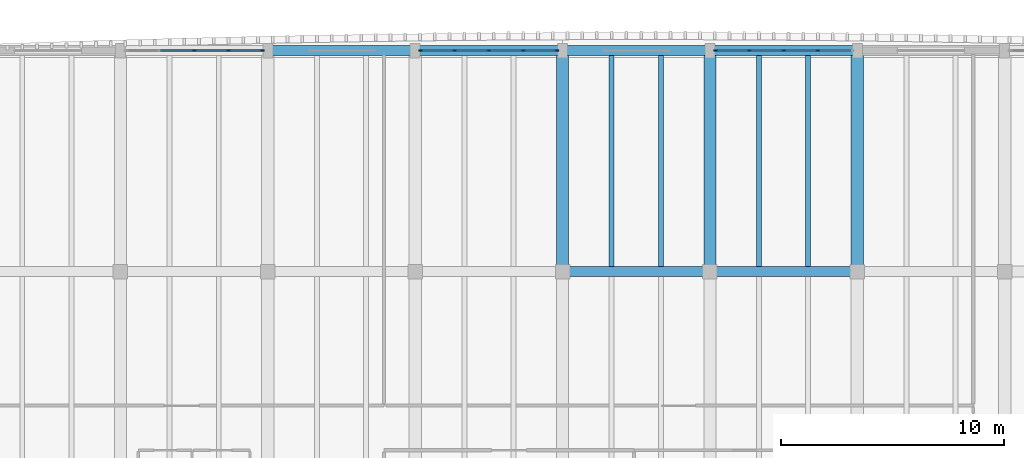
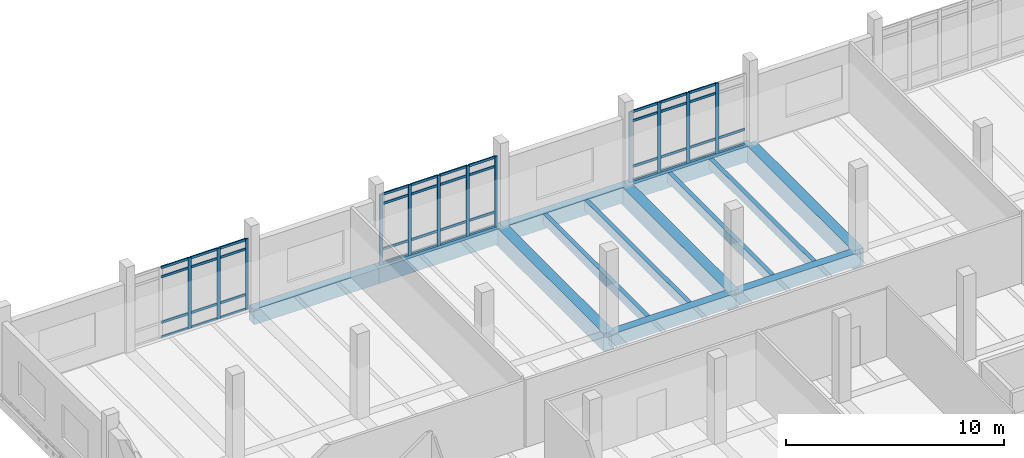
# One storey, part 16 of 50: 54 members, 13 beams, 3 elements without a shape of their own.
"""IFC4 building model written with IfcOpenShell, lengths in metres."""

from ifc_helpers import new_model, si_unit, direction, frame, origin, origin_2d, place, context, subcontext, project, spatial, rectangle, extrude, material, material_profile, profile_set, type_object, element, aggregate, save


model = new_model("IFC4")

# Units and contexts
model_context = context("Model", 3, precision=1e-05, world=origin(), true_north=direction((0.0, 1.0)))
body_context = subcontext(model_context, "Body", "Model", "MODEL_VIEW")
ifc_project = project(units=[si_unit("LENGTHUNIT", "METRE"), si_unit("AREAUNIT", "SQUARE_METRE"), si_unit("VOLUMEUNIT", "CUBIC_METRE"), si_unit("PLANEANGLEUNIT", "RADIAN"), si_unit("MASSUNIT", "GRAM", prefix="KILO")], contexts=[model_context])

# Site, building, storey
site_placement = place(None, origin())
site = spatial("IfcSite", under=ifc_project, at=site_placement, CompositionType="ELEMENT")
building_placement = place(site_placement, origin())
building = spatial("IfcBuilding", under=site, at=building_placement, Name="Dornvale Research Institute", CompositionType="ELEMENT")
storey_placement = place(building_placement, frame((0.0, 0.0, 19.800048828125)))
storey = spatial("IfcBuildingStorey", under=building, at=storey_placement, Name="L04", CompositionType="ELEMENT", Elevation=19.800048828125)

# Beams
ifc_material_1 = material(Name="Concrete f'c 45 MPa (C35/45)", Category="concrete")
ifc_material_profile_1 = material_profile(ifc_material_1, rectangle(XDim=0.449951171875, YDim=0.715087890625, at=origin_2d()), Name="RC 450x715")
ifc_profile_set_1 = profile_set([ifc_material_profile_1], Name="Concrete f'c 45 MPa (C35/45)")
beam_type_1 = type_object("IfcBeamType", Name="Beam_RC450x715_Lab", PredefinedType="BEAM", material=ifc_profile_set_1)
beam_1_placement = place(storey_placement, frame((145.199951171875, 112.199951171875, -0.357666015625), z_axis=(1.0, 0.0, 0.0), x_axis=(0.0, 1.0, 0.0)))
element("IfcBeam", 1, at=beam_1_placement, inside=storey, type_object=beam_type_1, Name="L04 primary girder #1194", PredefinedType="BEAM", context=body_context, shape_type="SweptSolid", body=[
    extrude(rectangle(XDim=0.449951171875, YDim=0.715087890625, at=origin_2d()), origin(), (0.0, 0.0, 1.0), 6.60009765625),
])
beam_2_placement = place(storey_placement, frame((151.800048828125, 112.199951171875, -0.357666015625), z_axis=(1.0, 0.0, 0.0), x_axis=(0.0, 1.0, 0.0)))
element("IfcBeam", 2, at=beam_2_placement, inside=storey, type_object=beam_type_1, Name="L04 primary girder #1195", PredefinedType="BEAM", context=body_context, shape_type="SweptSolid", body=[
    extrude(rectangle(XDim=0.449951171875, YDim=0.715087890625, at=origin_2d()), origin(), (0.0, 0.0, 1.0), 6.599853515625),
])
ifc_material_2 = material(Name="Concrete f'c 45 MPa (C35/45)", Category="concrete")
ifc_material_profile_2 = material_profile(ifc_material_2, rectangle(XDim=0.550048828125, YDim=1.0, at=origin_2d()), Name="RC 550x1000")
ifc_profile_set_2 = profile_set([ifc_material_profile_2], Name="Concrete f'c 45 MPa (C35/45)")
beam_type_2 = type_object("IfcBeamType", Name="Beam_RC550x1000_Girder", PredefinedType="BEAM", material=ifc_profile_set_2)
for number, where, z_axis, x_axis, name in (
    (3, (145.199951171875, 112.199951171875, -0.5), (0.0, 1.0, 0.0), (-1.0, 0.0, 0.0), "L04 transverse girder #1221"),
    (4, (151.800048828125, 112.199951171875, -0.5), (0.0, 1.0, 0.0), (-1.0, 0.0, 0.0), "L04 transverse girder #1224"),
    (5, (158.39990234375, 112.199951171875, -0.5), (0.0, 1.0, 0.0), (-1.0, 0.0, 0.0), "L04 transverse girder #1226"),
):
    element("IfcBeam", number, at=place(storey_placement, frame(where, z_axis=z_axis, x_axis=x_axis)), inside=storey, type_object=beam_type_2, Name=name, PredefinedType="BEAM", context=body_context, shape_type="SweptSolid", body=[
        extrude(rectangle(XDim=0.550048828125, YDim=1.0, at=origin_2d()), origin(), (0.0, 0.0, 1.0), 9.900146484375),
    ])
ifc_material_3 = material(Name="Concrete f'c 45 MPa (C35/45)", Category="concrete")
ifc_material_profile_3 = material_profile(ifc_material_3, rectangle(XDim=0.219970703125, YDim=0.534912109375, at=origin_2d()), Name="RC 220x535")
ifc_profile_set_3 = profile_set([ifc_material_profile_3], Name="Concrete f'c 45 MPa (C35/45)")
beam_type_3 = type_object("IfcBeamType", Name="Joist_RC220x535_Waffle", PredefinedType="JOIST", material=ifc_profile_set_3)
for number, where, z_axis, x_axis, name in (
    (6, (147.39990234375, 112.425048828125, -0.267578125), (0.0, 1.0, 0.0), (-1.0, 0.0, 0.0), "L04 laboratory waffle joist #608"),
    (7, (149.60009765625, 112.425048828125, -0.267578125), (0.0, 1.0, 0.0), (-1.0, 0.0, 0.0), "L04 laboratory waffle joist #609"),
    (8, (154.0, 112.425048828125, -0.267578125), (0.0, 1.0, 0.0), (-1.0, 0.0, 0.0), "L04 laboratory waffle joist #612"),
    (9, (156.199951171875, 112.425048828125, -0.267578125), (0.0, 1.0, 0.0), (-1.0, 0.0, 0.0), "L04 laboratory waffle joist #613"),
):
    element("IfcBeam", number, at=place(storey_placement, frame(where, z_axis=z_axis, x_axis=x_axis)), inside=storey, type_object=beam_type_3, Name=name, PredefinedType="JOIST", context=body_context, shape_type="SweptSolid", body=[
        extrude(rectangle(XDim=0.219970703125, YDim=0.534912109375, at=origin_2d()), origin(), (0.0, 0.0, 1.0), 9.449951171875),
    ])

# Curtain wall, members
ifc_material_4 = material(Name="Low-E Argon Double Insulating Glazing Unit", Category="glass")
curtain_wall_type = type_object("IfcCurtainWallType", Name="UnitisedCurtainWall_V4_6150x3950", PredefinedType="USERDEFINED", material=ifc_material_4)
curtain_wall_1_placement = place(storey_placement, origin())
curtain_wall_1 = element("IfcCurtainWall", 10, at=curtain_wall_1_placement, inside=storey, type_object=curtain_wall_type, Name="L04 V4 unitised curtain wall CW-15 #100", ObjectType="UNITISED CURTAIN WALL", PredefinedType="USERDEFINED")
ifc_material_5 = material(Name="Anodized Aluminum AA 6063-T6 Thermally Broken Frame", Category="aluminium")
ifc_material_profile_4 = material_profile(ifc_material_5, rectangle(XDim=0.06494140625, YDim=0.179931640625, at=origin_2d()), Name="ALU MULLION 65x180")
ifc_profile_set_4 = profile_set([ifc_material_profile_4], Name="Anodized Aluminum AA 6063-T6 Thermally Broken Frame")
member_type_1 = type_object("IfcMemberType", Name="Mullion_CW_65x180", PredefinedType="MULLION", material=ifc_profile_set_4)
member_1_placement = place(storey_placement, frame((128.699951171875, 122.10009765625, 0.0), z_axis=(0.0, 0.0, 1.0), x_axis=(0.0, 1.0, 0.0)))
member_1 = element("IfcMember", 11, at=member_1_placement, type_object=member_type_1, Name="CW-15 mullion 3", PredefinedType="MULLION", context=body_context, shape_type="SweptSolid", body=[
    extrude(rectangle(XDim=0.06494140625, YDim=0.179931640625, at=origin_2d()), origin(), (0.0, 0.0, 1.0), 3.949951171875),
])
member_2_placement = place(storey_placement, frame((130.237548828125, 122.10009765625, 0.0), z_axis=(0.0, 0.0, 1.0), x_axis=(0.0, 1.0, 0.0)))
member_2 = element("IfcMember", 12, at=member_2_placement, type_object=member_type_1, Name="CW-15 mullion 4", PredefinedType="MULLION", context=body_context, shape_type="SweptSolid", body=[
    extrude(rectangle(XDim=0.06494140625, YDim=0.179931640625, at=origin_2d()), origin(), (0.0, 0.0, 1.0), 3.949951171875),
])
member_3_placement = place(storey_placement, frame((131.742431640625, 122.10009765625, 0.0), z_axis=(0.0, 0.0, 1.0), x_axis=(0.0, 1.0, 0.0)))
member_3 = element("IfcMember", 13, at=member_3_placement, type_object=member_type_1, Name="CW-15 mullion 5", PredefinedType="MULLION", context=body_context, shape_type="SweptSolid", body=[
    extrude(rectangle(XDim=0.06494140625, YDim=0.179931640625, at=origin_2d()), origin(), (0.0, 0.0, 1.0), 3.949951171875),
])

curtain_wall_2_placement = place(storey_placement, origin())
curtain_wall_2 = element("IfcCurtainWall", 14, at=curtain_wall_2_placement, inside=storey, type_object=curtain_wall_type, Name="L04 V4 unitised curtain wall CW-15 #101", ObjectType="UNITISED CURTAIN WALL", PredefinedType="USERDEFINED")
member_4_placement = place(storey_placement, frame((138.857421875, 122.10009765625, 0.0), z_axis=(0.0, 0.0, 1.0), x_axis=(0.0, 1.0, 0.0)))
member_4 = element("IfcMember", 15, at=member_4_placement, type_object=member_type_1, Name="CW-15 mullion 1", PredefinedType="MULLION", context=body_context, shape_type="SweptSolid", body=[
    extrude(rectangle(XDim=0.06494140625, YDim=0.179931640625, at=origin_2d()), origin(), (0.0, 0.0, 1.0), 3.949951171875),
])
member_5_placement = place(storey_placement, frame((140.362548828125, 122.10009765625, 0.0), z_axis=(0.0, 0.0, 1.0), x_axis=(0.0, 1.0, 0.0)))
member_5 = element("IfcMember", 16, at=member_5_placement, type_object=member_type_1, Name="CW-15 mullion 2", PredefinedType="MULLION", context=body_context, shape_type="SweptSolid", body=[
    extrude(rectangle(XDim=0.06494140625, YDim=0.179931640625, at=origin_2d()), origin(), (0.0, 0.0, 1.0), 3.949951171875),
])
member_6_placement = place(storey_placement, frame((141.89990234375, 122.10009765625, 0.0), z_axis=(0.0, 0.0, 1.0), x_axis=(0.0, 1.0, 0.0)))
member_6 = element("IfcMember", 17, at=member_6_placement, type_object=member_type_1, Name="CW-15 mullion 3", PredefinedType="MULLION", context=body_context, shape_type="SweptSolid", body=[
    extrude(rectangle(XDim=0.06494140625, YDim=0.179931640625, at=origin_2d()), origin(), (0.0, 0.0, 1.0), 3.949951171875),
])
member_7_placement = place(storey_placement, frame((143.4375, 122.10009765625, 0.0), z_axis=(0.0, 0.0, 1.0), x_axis=(0.0, 1.0, 0.0)))
member_7 = element("IfcMember", 18, at=member_7_placement, type_object=member_type_1, Name="CW-15 mullion 4", PredefinedType="MULLION", context=body_context, shape_type="SweptSolid", body=[
    extrude(rectangle(XDim=0.06494140625, YDim=0.179931640625, at=origin_2d()), origin(), (0.0, 0.0, 1.0), 3.949951171875),
])
member_8_placement = place(storey_placement, frame((144.9423828125, 122.10009765625, 0.0), z_axis=(0.0, 0.0, 1.0), x_axis=(0.0, 1.0, 0.0)))
member_8 = element("IfcMember", 19, at=member_8_placement, type_object=member_type_1, Name="CW-15 mullion 5", PredefinedType="MULLION", context=body_context, shape_type="SweptSolid", body=[
    extrude(rectangle(XDim=0.06494140625, YDim=0.179931640625, at=origin_2d()), origin(), (0.0, 0.0, 1.0), 3.949951171875),
])

curtain_wall_3_placement = place(storey_placement, origin())
curtain_wall_3 = element("IfcCurtainWall", 20, at=curtain_wall_3_placement, inside=storey, type_object=curtain_wall_type, Name="L04 V4 unitised curtain wall CW-15 #102", ObjectType="UNITISED CURTAIN WALL", PredefinedType="USERDEFINED")
member_9_placement = place(storey_placement, frame((152.0576171875, 122.10009765625, 0.0), z_axis=(0.0, 0.0, 1.0), x_axis=(0.0, 1.0, 0.0)))
member_9 = element("IfcMember", 21, at=member_9_placement, type_object=member_type_1, Name="CW-15 mullion 1", PredefinedType="MULLION", context=body_context, shape_type="SweptSolid", body=[
    extrude(rectangle(XDim=0.06494140625, YDim=0.179931640625, at=origin_2d()), origin(), (0.0, 0.0, 1.0), 3.949951171875),
])
member_10_placement = place(storey_placement, frame((153.5625, 122.10009765625, 0.0), z_axis=(0.0, 0.0, 1.0), x_axis=(0.0, 1.0, 0.0)))
member_10 = element("IfcMember", 22, at=member_10_placement, type_object=member_type_1, Name="CW-15 mullion 2", PredefinedType="MULLION", context=body_context, shape_type="SweptSolid", body=[
    extrude(rectangle(XDim=0.06494140625, YDim=0.179931640625, at=origin_2d()), origin(), (0.0, 0.0, 1.0), 3.949951171875),
])
member_11_placement = place(storey_placement, frame((155.10009765625, 122.10009765625, 0.0), z_axis=(0.0, 0.0, 1.0), x_axis=(0.0, 1.0, 0.0)))
member_11 = element("IfcMember", 23, at=member_11_placement, type_object=member_type_1, Name="CW-15 mullion 3", PredefinedType="MULLION", context=body_context, shape_type="SweptSolid", body=[
    extrude(rectangle(XDim=0.06494140625, YDim=0.179931640625, at=origin_2d()), origin(), (0.0, 0.0, 1.0), 3.949951171875),
])
member_12_placement = place(storey_placement, frame((156.637451171875, 122.10009765625, 0.0), z_axis=(0.0, 0.0, 1.0), x_axis=(0.0, 1.0, 0.0)))
member_12 = element("IfcMember", 24, at=member_12_placement, type_object=member_type_1, Name="CW-15 mullion 4", PredefinedType="MULLION", context=body_context, shape_type="SweptSolid", body=[
    extrude(rectangle(XDim=0.06494140625, YDim=0.179931640625, at=origin_2d()), origin(), (0.0, 0.0, 1.0), 3.949951171875),
])

# Beams
ifc_material_6 = material(Name="Concrete f'c 45 MPa (C35/45)", Category="concrete")
ifc_material_profile_5 = material_profile(ifc_material_6, rectangle(XDim=0.449951171875, YDim=0.85009765625, at=origin_2d()), Name="RC 450x850")
ifc_profile_set_5 = profile_set([ifc_material_profile_5], Name="Concrete f'c 45 MPa (C35/45)")
beam_type_4 = type_object("IfcBeamType", Name="Spandrel_RC450x850_Ext", PredefinedType="SPANDREL", material=ifc_profile_set_5)
beam_3_placement = place(storey_placement, frame((132.0, 122.10009765625, -0.425048828125), z_axis=(1.0, 0.0, 0.0), x_axis=(0.0, 1.0, 0.0)))
element("IfcBeam", 25, at=beam_3_placement, inside=storey, type_object=beam_type_4, Name="L04 perimeter spandrel #1201", PredefinedType="SPANDREL", context=body_context, shape_type="SweptSolid", body=[
    extrude(rectangle(XDim=0.449951171875, YDim=0.85009765625, at=origin_2d()), origin(), (0.0, 0.0, 1.0), 6.60009765625),
])
beam_4_placement = place(storey_placement, frame((138.60009765625, 122.10009765625, -0.425048828125), z_axis=(1.0, 0.0, 0.0), x_axis=(0.0, 1.0, 0.0)))
element("IfcBeam", 26, at=beam_4_placement, inside=storey, type_object=beam_type_4, Name="L04 perimeter spandrel #1202", PredefinedType="SPANDREL", context=body_context, shape_type="SweptSolid", body=[
    extrude(rectangle(XDim=0.449951171875, YDim=0.85009765625, at=origin_2d()), origin(), (0.0, 0.0, 1.0), 6.599853515625),
])
beam_5_placement = place(storey_placement, frame((145.199951171875, 122.10009765625, -0.425048828125), z_axis=(1.0, 0.0, 0.0), x_axis=(0.0, 1.0, 0.0)))
element("IfcBeam", 27, at=beam_5_placement, inside=storey, type_object=beam_type_4, Name="L04 perimeter spandrel #1203", PredefinedType="SPANDREL", context=body_context, shape_type="SweptSolid", body=[
    extrude(rectangle(XDim=0.449951171875, YDim=0.85009765625, at=origin_2d()), origin(), (0.0, 0.0, 1.0), 6.60009765625),
])
beam_6_placement = place(storey_placement, frame((151.800048828125, 122.10009765625, -0.425048828125), z_axis=(1.0, 0.0, 0.0), x_axis=(0.0, 1.0, 0.0)))
element("IfcBeam", 28, at=beam_6_placement, inside=storey, type_object=beam_type_4, Name="L04 perimeter spandrel #1204", PredefinedType="SPANDREL", context=body_context, shape_type="SweptSolid", body=[
    extrude(rectangle(XDim=0.449951171875, YDim=0.85009765625, at=origin_2d()), origin(), (0.0, 0.0, 1.0), 6.599853515625),
])

# Member
ifc_material_7 = material(Name="Anodized Aluminum AA 6063-T6 Thermally Broken Frame", Category="aluminium")
ifc_material_profile_6 = material_profile(ifc_material_7, rectangle(XDim=0.06494140625, YDim=0.135009765625, at=origin_2d()), Name="ALU TRANSOM 65x135")
ifc_profile_set_6 = profile_set([ifc_material_profile_6], Name="Anodized Aluminum AA 6063-T6 Thermally Broken Frame")
member_type_2 = type_object("IfcMemberType", Name="Transom_CW_65x135", PredefinedType="USERDEFINED", material=ifc_profile_set_6)
member_13_placement = place(storey_placement, frame((127.195068359375, 122.10009765625, 0.032470703125), z_axis=(1.0, 0.0, 0.0), x_axis=(0.0, 1.0, 0.0)))
member_13 = element("IfcMember", 29, at=member_13_placement, type_object=member_type_2, Name="CW-15 transom 2.1", ObjectType="TRANSOM", PredefinedType="USERDEFINED", context=body_context, shape_type="SweptSolid", body=[
    extrude(rectangle(XDim=0.06494140625, YDim=0.135009765625, at=origin_2d()), origin(), (0.0, 0.0, 1.0), 1.472412109375),
])

member_14_placement = place(storey_placement, frame((127.195068359375, 122.10009765625, 0.849853515625), z_axis=(1.0, 0.0, 0.0), x_axis=(0.0, 1.0, 0.0)))
member_14 = element("IfcMember", 30, at=member_14_placement, type_object=member_type_2, Name="CW-15 transom 2.2", ObjectType="TRANSOM", PredefinedType="USERDEFINED", context=body_context, shape_type="SweptSolid", body=[
    extrude(rectangle(XDim=0.06494140625, YDim=0.135009765625, at=origin_2d()), origin(), (0.0, 0.0, 1.0), 1.472412109375),
])

member_15_placement = place(storey_placement, frame((127.195068359375, 122.10009765625, 3.39990234375), z_axis=(1.0, 0.0, 0.0), x_axis=(0.0, 1.0, 0.0)))
member_15 = element("IfcMember", 31, at=member_15_placement, type_object=member_type_2, Name="CW-15 transom 2.3", ObjectType="TRANSOM", PredefinedType="USERDEFINED", context=body_context, shape_type="SweptSolid", body=[
    extrude(rectangle(XDim=0.06494140625, YDim=0.135009765625, at=origin_2d()), origin(), (0.0, 0.0, 1.0), 1.472412109375),
])

member_16_placement = place(storey_placement, frame((127.195068359375, 122.10009765625, 3.91748046875), z_axis=(1.0, 0.0, 0.0), x_axis=(0.0, 1.0, 0.0)))
member_16 = element("IfcMember", 32, at=member_16_placement, type_object=member_type_2, Name="CW-15 transom 2.4", ObjectType="TRANSOM", PredefinedType="USERDEFINED", context=body_context, shape_type="SweptSolid", body=[
    extrude(rectangle(XDim=0.06494140625, YDim=0.135009765625, at=origin_2d()), origin(), (0.0, 0.0, 1.0), 1.472412109375),
])

member_17_placement = place(storey_placement, frame((128.732421875, 122.10009765625, 0.032470703125), z_axis=(1.0, 0.0, 0.0), x_axis=(0.0, 1.0, 0.0)))
member_17 = element("IfcMember", 33, at=member_17_placement, type_object=member_type_2, Name="CW-15 transom 3.1", ObjectType="TRANSOM", PredefinedType="USERDEFINED", context=body_context, shape_type="SweptSolid", body=[
    extrude(rectangle(XDim=0.06494140625, YDim=0.135009765625, at=origin_2d()), origin(), (0.0, 0.0, 1.0), 1.47265625),
])

member_18_placement = place(storey_placement, frame((128.732421875, 122.10009765625, 0.849853515625), z_axis=(1.0, 0.0, 0.0), x_axis=(0.0, 1.0, 0.0)))
member_18 = element("IfcMember", 34, at=member_18_placement, type_object=member_type_2, Name="CW-15 transom 3.2", ObjectType="TRANSOM", PredefinedType="USERDEFINED", context=body_context, shape_type="SweptSolid", body=[
    extrude(rectangle(XDim=0.06494140625, YDim=0.135009765625, at=origin_2d()), origin(), (0.0, 0.0, 1.0), 1.47265625),
])

member_19_placement = place(storey_placement, frame((128.732421875, 122.10009765625, 3.39990234375), z_axis=(1.0, 0.0, 0.0), x_axis=(0.0, 1.0, 0.0)))
member_19 = element("IfcMember", 35, at=member_19_placement, type_object=member_type_2, Name="CW-15 transom 3.3", ObjectType="TRANSOM", PredefinedType="USERDEFINED", context=body_context, shape_type="SweptSolid", body=[
    extrude(rectangle(XDim=0.06494140625, YDim=0.135009765625, at=origin_2d()), origin(), (0.0, 0.0, 1.0), 1.47265625),
])

member_20_placement = place(storey_placement, frame((128.732421875, 122.10009765625, 3.91748046875), z_axis=(1.0, 0.0, 0.0), x_axis=(0.0, 1.0, 0.0)))
member_20 = element("IfcMember", 36, at=member_20_placement, type_object=member_type_2, Name="CW-15 transom 3.4", ObjectType="TRANSOM", PredefinedType="USERDEFINED", context=body_context, shape_type="SweptSolid", body=[
    extrude(rectangle(XDim=0.06494140625, YDim=0.135009765625, at=origin_2d()), origin(), (0.0, 0.0, 1.0), 1.47265625),
])

member_21_placement = place(storey_placement, frame((130.27001953125, 122.10009765625, 0.032470703125), z_axis=(1.0, 0.0, 0.0), x_axis=(0.0, 1.0, 0.0)))
member_21 = element("IfcMember", 37, at=member_21_placement, type_object=member_type_2, Name="CW-15 transom 4.1", ObjectType="TRANSOM", PredefinedType="USERDEFINED", context=body_context, shape_type="SweptSolid", body=[
    extrude(rectangle(XDim=0.06494140625, YDim=0.135009765625, at=origin_2d()), origin(), (0.0, 0.0, 1.0), 1.43994140625),
])

member_22_placement = place(storey_placement, frame((130.27001953125, 122.10009765625, 0.849853515625), z_axis=(1.0, 0.0, 0.0), x_axis=(0.0, 1.0, 0.0)))
member_22 = element("IfcMember", 38, at=member_22_placement, type_object=member_type_2, Name="CW-15 transom 4.2", ObjectType="TRANSOM", PredefinedType="USERDEFINED", context=body_context, shape_type="SweptSolid", body=[
    extrude(rectangle(XDim=0.06494140625, YDim=0.135009765625, at=origin_2d()), origin(), (0.0, 0.0, 1.0), 1.43994140625),
])

member_23_placement = place(storey_placement, frame((130.27001953125, 122.10009765625, 3.39990234375), z_axis=(1.0, 0.0, 0.0), x_axis=(0.0, 1.0, 0.0)))
member_23 = element("IfcMember", 39, at=member_23_placement, type_object=member_type_2, Name="CW-15 transom 4.3", ObjectType="TRANSOM", PredefinedType="USERDEFINED", context=body_context, shape_type="SweptSolid", body=[
    extrude(rectangle(XDim=0.06494140625, YDim=0.135009765625, at=origin_2d()), origin(), (0.0, 0.0, 1.0), 1.43994140625),
])

member_24_placement = place(storey_placement, frame((130.27001953125, 122.10009765625, 3.91748046875), z_axis=(1.0, 0.0, 0.0), x_axis=(0.0, 1.0, 0.0)))
member_24 = element("IfcMember", 40, at=member_24_placement, type_object=member_type_2, Name="CW-15 transom 4.4", ObjectType="TRANSOM", PredefinedType="USERDEFINED", context=body_context, shape_type="SweptSolid", body=[
    extrude(rectangle(XDim=0.06494140625, YDim=0.135009765625, at=origin_2d()), origin(), (0.0, 0.0, 1.0), 1.43994140625),
])

aggregate(curtain_wall_1, [member_1, member_2, member_3, member_13, member_14, member_15, member_16, member_17, member_18, member_19, member_20, member_21, member_22, member_23, member_24])

member_25_placement = place(storey_placement, frame((138.889892578125, 122.10009765625, 0.032470703125), z_axis=(1.0, 0.0, 0.0), x_axis=(0.0, 1.0, 0.0)))
member_25 = element("IfcMember", 41, at=member_25_placement, type_object=member_type_2, Name="CW-15 transom 1.1", ObjectType="TRANSOM", PredefinedType="USERDEFINED", context=body_context, shape_type="SweptSolid", body=[
    extrude(rectangle(XDim=0.06494140625, YDim=0.135009765625, at=origin_2d()), origin(), (0.0, 0.0, 1.0), 1.440185546875),
])

member_26_placement = place(storey_placement, frame((138.889892578125, 122.10009765625, 0.849853515625), z_axis=(1.0, 0.0, 0.0), x_axis=(0.0, 1.0, 0.0)))
member_26 = element("IfcMember", 42, at=member_26_placement, type_object=member_type_2, Name="CW-15 transom 1.2", ObjectType="TRANSOM", PredefinedType="USERDEFINED", context=body_context, shape_type="SweptSolid", body=[
    extrude(rectangle(XDim=0.06494140625, YDim=0.135009765625, at=origin_2d()), origin(), (0.0, 0.0, 1.0), 1.440185546875),
])

member_27_placement = place(storey_placement, frame((138.889892578125, 122.10009765625, 3.39990234375), z_axis=(1.0, 0.0, 0.0), x_axis=(0.0, 1.0, 0.0)))
member_27 = element("IfcMember", 43, at=member_27_placement, type_object=member_type_2, Name="CW-15 transom 1.3", ObjectType="TRANSOM", PredefinedType="USERDEFINED", context=body_context, shape_type="SweptSolid", body=[
    extrude(rectangle(XDim=0.06494140625, YDim=0.135009765625, at=origin_2d()), origin(), (0.0, 0.0, 1.0), 1.440185546875),
])

member_28_placement = place(storey_placement, frame((138.889892578125, 122.10009765625, 3.91748046875), z_axis=(1.0, 0.0, 0.0), x_axis=(0.0, 1.0, 0.0)))
member_28 = element("IfcMember", 44, at=member_28_placement, type_object=member_type_2, Name="CW-15 transom 1.4", ObjectType="TRANSOM", PredefinedType="USERDEFINED", context=body_context, shape_type="SweptSolid", body=[
    extrude(rectangle(XDim=0.06494140625, YDim=0.135009765625, at=origin_2d()), origin(), (0.0, 0.0, 1.0), 1.440185546875),
])

member_29_placement = place(storey_placement, frame((140.39501953125, 122.10009765625, 0.032470703125), z_axis=(1.0, 0.0, 0.0), x_axis=(0.0, 1.0, 0.0)))
member_29 = element("IfcMember", 45, at=member_29_placement, type_object=member_type_2, Name="CW-15 transom 2.1", ObjectType="TRANSOM", PredefinedType="USERDEFINED", context=body_context, shape_type="SweptSolid", body=[
    extrude(rectangle(XDim=0.06494140625, YDim=0.135009765625, at=origin_2d()), origin(), (0.0, 0.0, 1.0), 1.472412109375),
])

member_30_placement = place(storey_placement, frame((140.39501953125, 122.10009765625, 0.849853515625), z_axis=(1.0, 0.0, 0.0), x_axis=(0.0, 1.0, 0.0)))
member_30 = element("IfcMember", 46, at=member_30_placement, type_object=member_type_2, Name="CW-15 transom 2.2", ObjectType="TRANSOM", PredefinedType="USERDEFINED", context=body_context, shape_type="SweptSolid", body=[
    extrude(rectangle(XDim=0.06494140625, YDim=0.135009765625, at=origin_2d()), origin(), (0.0, 0.0, 1.0), 1.472412109375),
])

member_31_placement = place(storey_placement, frame((140.39501953125, 122.10009765625, 3.39990234375), z_axis=(1.0, 0.0, 0.0), x_axis=(0.0, 1.0, 0.0)))
member_31 = element("IfcMember", 47, at=member_31_placement, type_object=member_type_2, Name="CW-15 transom 2.3", ObjectType="TRANSOM", PredefinedType="USERDEFINED", context=body_context, shape_type="SweptSolid", body=[
    extrude(rectangle(XDim=0.06494140625, YDim=0.135009765625, at=origin_2d()), origin(), (0.0, 0.0, 1.0), 1.472412109375),
])

member_32_placement = place(storey_placement, frame((140.39501953125, 122.10009765625, 3.91748046875), z_axis=(1.0, 0.0, 0.0), x_axis=(0.0, 1.0, 0.0)))
member_32 = element("IfcMember", 48, at=member_32_placement, type_object=member_type_2, Name="CW-15 transom 2.4", ObjectType="TRANSOM", PredefinedType="USERDEFINED", context=body_context, shape_type="SweptSolid", body=[
    extrude(rectangle(XDim=0.06494140625, YDim=0.135009765625, at=origin_2d()), origin(), (0.0, 0.0, 1.0), 1.472412109375),
])

member_33_placement = place(storey_placement, frame((141.9326171875, 122.10009765625, 0.032470703125), z_axis=(1.0, 0.0, 0.0), x_axis=(0.0, 1.0, 0.0)))
member_33 = element("IfcMember", 49, at=member_33_placement, type_object=member_type_2, Name="CW-15 transom 3.1", ObjectType="TRANSOM", PredefinedType="USERDEFINED", context=body_context, shape_type="SweptSolid", body=[
    extrude(rectangle(XDim=0.06494140625, YDim=0.135009765625, at=origin_2d()), origin(), (0.0, 0.0, 1.0), 1.472412109375),
])

member_34_placement = place(storey_placement, frame((141.9326171875, 122.10009765625, 0.849853515625), z_axis=(1.0, 0.0, 0.0), x_axis=(0.0, 1.0, 0.0)))
member_34 = element("IfcMember", 50, at=member_34_placement, type_object=member_type_2, Name="CW-15 transom 3.2", ObjectType="TRANSOM", PredefinedType="USERDEFINED", context=body_context, shape_type="SweptSolid", body=[
    extrude(rectangle(XDim=0.06494140625, YDim=0.135009765625, at=origin_2d()), origin(), (0.0, 0.0, 1.0), 1.472412109375),
])

member_35_placement = place(storey_placement, frame((141.9326171875, 122.10009765625, 3.39990234375), z_axis=(1.0, 0.0, 0.0), x_axis=(0.0, 1.0, 0.0)))
member_35 = element("IfcMember", 51, at=member_35_placement, type_object=member_type_2, Name="CW-15 transom 3.3", ObjectType="TRANSOM", PredefinedType="USERDEFINED", context=body_context, shape_type="SweptSolid", body=[
    extrude(rectangle(XDim=0.06494140625, YDim=0.135009765625, at=origin_2d()), origin(), (0.0, 0.0, 1.0), 1.472412109375),
])

member_36_placement = place(storey_placement, frame((141.9326171875, 122.10009765625, 3.91748046875), z_axis=(1.0, 0.0, 0.0), x_axis=(0.0, 1.0, 0.0)))
member_36 = element("IfcMember", 52, at=member_36_placement, type_object=member_type_2, Name="CW-15 transom 3.4", ObjectType="TRANSOM", PredefinedType="USERDEFINED", context=body_context, shape_type="SweptSolid", body=[
    extrude(rectangle(XDim=0.06494140625, YDim=0.135009765625, at=origin_2d()), origin(), (0.0, 0.0, 1.0), 1.472412109375),
])

member_37_placement = place(storey_placement, frame((143.469970703125, 122.10009765625, 0.032470703125), z_axis=(1.0, 0.0, 0.0), x_axis=(0.0, 1.0, 0.0)))
member_37 = element("IfcMember", 53, at=member_37_placement, type_object=member_type_2, Name="CW-15 transom 4.1", ObjectType="TRANSOM", PredefinedType="USERDEFINED", context=body_context, shape_type="SweptSolid", body=[
    extrude(rectangle(XDim=0.06494140625, YDim=0.135009765625, at=origin_2d()), origin(), (0.0, 0.0, 1.0), 1.43994140625),
])

member_38_placement = place(storey_placement, frame((143.469970703125, 122.10009765625, 0.849853515625), z_axis=(1.0, 0.0, 0.0), x_axis=(0.0, 1.0, 0.0)))
member_38 = element("IfcMember", 54, at=member_38_placement, type_object=member_type_2, Name="CW-15 transom 4.2", ObjectType="TRANSOM", PredefinedType="USERDEFINED", context=body_context, shape_type="SweptSolid", body=[
    extrude(rectangle(XDim=0.06494140625, YDim=0.135009765625, at=origin_2d()), origin(), (0.0, 0.0, 1.0), 1.43994140625),
])

member_39_placement = place(storey_placement, frame((143.469970703125, 122.10009765625, 3.39990234375), z_axis=(1.0, 0.0, 0.0), x_axis=(0.0, 1.0, 0.0)))
member_39 = element("IfcMember", 55, at=member_39_placement, type_object=member_type_2, Name="CW-15 transom 4.3", ObjectType="TRANSOM", PredefinedType="USERDEFINED", context=body_context, shape_type="SweptSolid", body=[
    extrude(rectangle(XDim=0.06494140625, YDim=0.135009765625, at=origin_2d()), origin(), (0.0, 0.0, 1.0), 1.43994140625),
])

member_40_placement = place(storey_placement, frame((143.469970703125, 122.10009765625, 3.91748046875), z_axis=(1.0, 0.0, 0.0), x_axis=(0.0, 1.0, 0.0)))
member_40 = element("IfcMember", 56, at=member_40_placement, type_object=member_type_2, Name="CW-15 transom 4.4", ObjectType="TRANSOM", PredefinedType="USERDEFINED", context=body_context, shape_type="SweptSolid", body=[
    extrude(rectangle(XDim=0.06494140625, YDim=0.135009765625, at=origin_2d()), origin(), (0.0, 0.0, 1.0), 1.43994140625),
])

aggregate(curtain_wall_2, [member_4, member_5, member_6, member_7, member_8, member_25, member_26, member_27, member_28, member_29, member_30, member_31, member_32, member_33, member_34, member_35, member_36, member_37, member_38, member_39, member_40])

member_41_placement = place(storey_placement, frame((152.090087890625, 122.10009765625, 0.032470703125), z_axis=(1.0, 0.0, 0.0), x_axis=(0.0, 1.0, 0.0)))
member_41 = element("IfcMember", 57, at=member_41_placement, type_object=member_type_2, Name="CW-15 transom 1.1", ObjectType="TRANSOM", PredefinedType="USERDEFINED", context=body_context, shape_type="SweptSolid", body=[
    extrude(rectangle(XDim=0.06494140625, YDim=0.135009765625, at=origin_2d()), origin(), (0.0, 0.0, 1.0), 1.43994140625),
])

member_42_placement = place(storey_placement, frame((152.090087890625, 122.10009765625, 0.849853515625), z_axis=(1.0, 0.0, 0.0), x_axis=(0.0, 1.0, 0.0)))
member_42 = element("IfcMember", 58, at=member_42_placement, type_object=member_type_2, Name="CW-15 transom 1.2", ObjectType="TRANSOM", PredefinedType="USERDEFINED", context=body_context, shape_type="SweptSolid", body=[
    extrude(rectangle(XDim=0.06494140625, YDim=0.135009765625, at=origin_2d()), origin(), (0.0, 0.0, 1.0), 1.43994140625),
])

member_43_placement = place(storey_placement, frame((152.090087890625, 122.10009765625, 3.39990234375), z_axis=(1.0, 0.0, 0.0), x_axis=(0.0, 1.0, 0.0)))
member_43 = element("IfcMember", 59, at=member_43_placement, type_object=member_type_2, Name="CW-15 transom 1.3", ObjectType="TRANSOM", PredefinedType="USERDEFINED", context=body_context, shape_type="SweptSolid", body=[
    extrude(rectangle(XDim=0.06494140625, YDim=0.135009765625, at=origin_2d()), origin(), (0.0, 0.0, 1.0), 1.43994140625),
])

member_44_placement = place(storey_placement, frame((152.090087890625, 122.10009765625, 3.91748046875), z_axis=(1.0, 0.0, 0.0), x_axis=(0.0, 1.0, 0.0)))
member_44 = element("IfcMember", 60, at=member_44_placement, type_object=member_type_2, Name="CW-15 transom 1.4", ObjectType="TRANSOM", PredefinedType="USERDEFINED", context=body_context, shape_type="SweptSolid", body=[
    extrude(rectangle(XDim=0.06494140625, YDim=0.135009765625, at=origin_2d()), origin(), (0.0, 0.0, 1.0), 1.43994140625),
])

member_45_placement = place(storey_placement, frame((153.594970703125, 122.10009765625, 0.032470703125), z_axis=(1.0, 0.0, 0.0), x_axis=(0.0, 1.0, 0.0)))
member_45 = element("IfcMember", 61, at=member_45_placement, type_object=member_type_2, Name="CW-15 transom 2.1", ObjectType="TRANSOM", PredefinedType="USERDEFINED", context=body_context, shape_type="SweptSolid", body=[
    extrude(rectangle(XDim=0.06494140625, YDim=0.135009765625, at=origin_2d()), origin(), (0.0, 0.0, 1.0), 1.472412109375),
])

member_46_placement = place(storey_placement, frame((153.594970703125, 122.10009765625, 0.849853515625), z_axis=(1.0, 0.0, 0.0), x_axis=(0.0, 1.0, 0.0)))
member_46 = element("IfcMember", 62, at=member_46_placement, type_object=member_type_2, Name="CW-15 transom 2.2", ObjectType="TRANSOM", PredefinedType="USERDEFINED", context=body_context, shape_type="SweptSolid", body=[
    extrude(rectangle(XDim=0.06494140625, YDim=0.135009765625, at=origin_2d()), origin(), (0.0, 0.0, 1.0), 1.472412109375),
])

member_47_placement = place(storey_placement, frame((153.594970703125, 122.10009765625, 3.39990234375), z_axis=(1.0, 0.0, 0.0), x_axis=(0.0, 1.0, 0.0)))
member_47 = element("IfcMember", 63, at=member_47_placement, type_object=member_type_2, Name="CW-15 transom 2.3", ObjectType="TRANSOM", PredefinedType="USERDEFINED", context=body_context, shape_type="SweptSolid", body=[
    extrude(rectangle(XDim=0.06494140625, YDim=0.135009765625, at=origin_2d()), origin(), (0.0, 0.0, 1.0), 1.472412109375),
])

member_48_placement = place(storey_placement, frame((153.594970703125, 122.10009765625, 3.91748046875), z_axis=(1.0, 0.0, 0.0), x_axis=(0.0, 1.0, 0.0)))
member_48 = element("IfcMember", 64, at=member_48_placement, type_object=member_type_2, Name="CW-15 transom 2.4", ObjectType="TRANSOM", PredefinedType="USERDEFINED", context=body_context, shape_type="SweptSolid", body=[
    extrude(rectangle(XDim=0.06494140625, YDim=0.135009765625, at=origin_2d()), origin(), (0.0, 0.0, 1.0), 1.472412109375),
])

member_49_placement = place(storey_placement, frame((155.132568359375, 122.10009765625, 0.032470703125), z_axis=(1.0, 0.0, 0.0), x_axis=(0.0, 1.0, 0.0)))
member_49 = element("IfcMember", 65, at=member_49_placement, type_object=member_type_2, Name="CW-15 transom 3.1", ObjectType="TRANSOM", PredefinedType="USERDEFINED", context=body_context, shape_type="SweptSolid", body=[
    extrude(rectangle(XDim=0.06494140625, YDim=0.135009765625, at=origin_2d()), origin(), (0.0, 0.0, 1.0), 1.472412109375),
])

member_50_placement = place(storey_placement, frame((155.132568359375, 122.10009765625, 0.849853515625), z_axis=(1.0, 0.0, 0.0), x_axis=(0.0, 1.0, 0.0)))
member_50 = element("IfcMember", 66, at=member_50_placement, type_object=member_type_2, Name="CW-15 transom 3.2", ObjectType="TRANSOM", PredefinedType="USERDEFINED", context=body_context, shape_type="SweptSolid", body=[
    extrude(rectangle(XDim=0.06494140625, YDim=0.135009765625, at=origin_2d()), origin(), (0.0, 0.0, 1.0), 1.472412109375),
])

member_51_placement = place(storey_placement, frame((155.132568359375, 122.10009765625, 3.39990234375), z_axis=(1.0, 0.0, 0.0), x_axis=(0.0, 1.0, 0.0)))
member_51 = element("IfcMember", 67, at=member_51_placement, type_object=member_type_2, Name="CW-15 transom 3.3", ObjectType="TRANSOM", PredefinedType="USERDEFINED", context=body_context, shape_type="SweptSolid", body=[
    extrude(rectangle(XDim=0.06494140625, YDim=0.135009765625, at=origin_2d()), origin(), (0.0, 0.0, 1.0), 1.472412109375),
])

member_52_placement = place(storey_placement, frame((155.132568359375, 122.10009765625, 3.91748046875), z_axis=(1.0, 0.0, 0.0), x_axis=(0.0, 1.0, 0.0)))
member_52 = element("IfcMember", 68, at=member_52_placement, type_object=member_type_2, Name="CW-15 transom 3.4", ObjectType="TRANSOM", PredefinedType="USERDEFINED", context=body_context, shape_type="SweptSolid", body=[
    extrude(rectangle(XDim=0.06494140625, YDim=0.135009765625, at=origin_2d()), origin(), (0.0, 0.0, 1.0), 1.472412109375),
])

member_53_placement = place(storey_placement, frame((156.669921875, 122.10009765625, 0.032470703125), z_axis=(1.0, 0.0, 0.0), x_axis=(0.0, 1.0, 0.0)))
member_53 = element("IfcMember", 69, at=member_53_placement, type_object=member_type_2, Name="CW-15 transom 4.1", ObjectType="TRANSOM", PredefinedType="USERDEFINED", context=body_context, shape_type="SweptSolid", body=[
    extrude(rectangle(XDim=0.06494140625, YDim=0.135009765625, at=origin_2d()), origin(), (0.0, 0.0, 1.0), 1.440185546875),
])

member_54_placement = place(storey_placement, frame((156.669921875, 122.10009765625, 0.849853515625), z_axis=(1.0, 0.0, 0.0), x_axis=(0.0, 1.0, 0.0)))
member_54 = element("IfcMember", 70, at=member_54_placement, type_object=member_type_2, Name="CW-15 transom 4.2", ObjectType="TRANSOM", PredefinedType="USERDEFINED", context=body_context, shape_type="SweptSolid", body=[
    extrude(rectangle(XDim=0.06494140625, YDim=0.135009765625, at=origin_2d()), origin(), (0.0, 0.0, 1.0), 1.440185546875),
])

aggregate(curtain_wall_3, [member_9, member_10, member_11, member_12, member_41, member_42, member_43, member_44, member_45, member_46, member_47, member_48, member_49, member_50, member_51, member_52, member_53, member_54])

save(model, "model.ifc")
